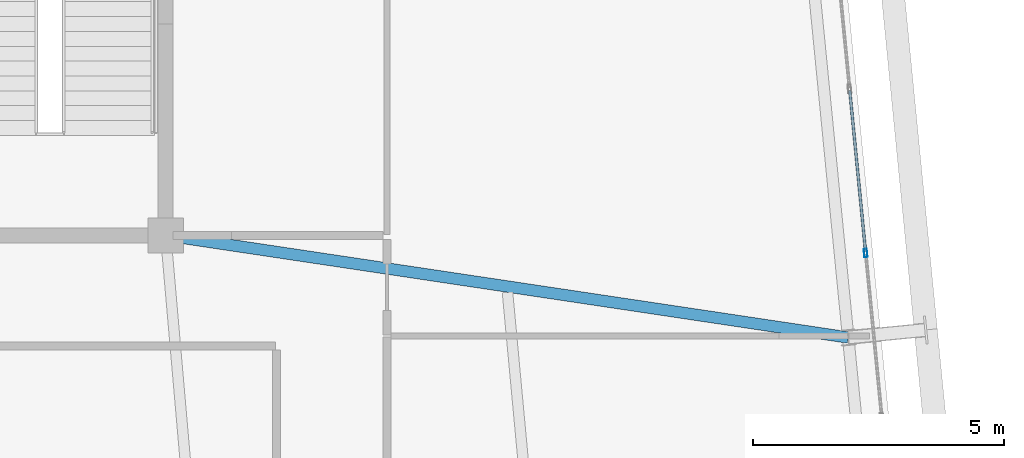
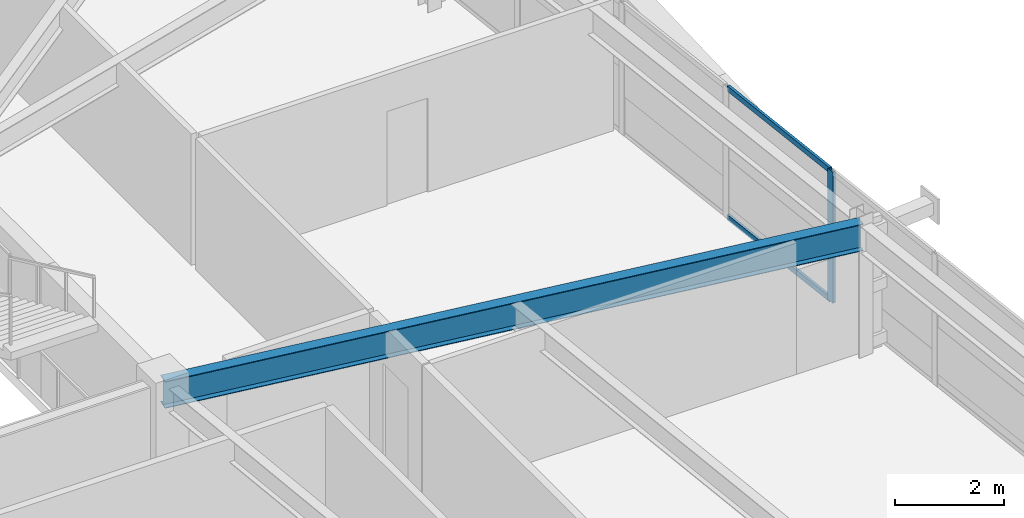
# One storey, part 25 of 53: 3 members, 1 beam, 1 element without a shape of its own.
"""IFC4 building model written with IfcOpenShell, lengths in metres."""

from ifc_helpers import new_model, si_unit, direction, frame, origin, origin_2d, place, context, subcontext, project, spatial, hollow_rectangle, i_section, extrude, source, transform, mapped, material, layer, layer_set, material_profile, profile_set, type_object, element, aggregate, save


model = new_model("IFC4")

# Units and contexts
model_context = context("Model", 3, precision=1e-05, world=origin(), true_north=direction((0.0, 1.0)))
body_context = subcontext(model_context, "Body", "Model", "MODEL_VIEW")
ifc_project = project(units=[si_unit("LENGTHUNIT", "METRE"), si_unit("AREAUNIT", "SQUARE_METRE"), si_unit("VOLUMEUNIT", "CUBIC_METRE"), si_unit("PLANEANGLEUNIT", "RADIAN"), si_unit("MASSUNIT", "GRAM", prefix="KILO")], contexts=[model_context])

# Site, building, storey
site_placement = place(None, origin())
site = spatial("IfcSite", under=ifc_project, at=site_placement, CompositionType="ELEMENT")
building_placement = place(site_placement, origin())
building = spatial("IfcBuilding", under=site, at=building_placement, Name="Taldren Reach Tower", CompositionType="ELEMENT")
storey_placement = place(building_placement, frame((0.0, 0.0, 84.0)))
storey = spatial("IfcBuildingStorey", under=building, at=storey_placement, Name="L25", CompositionType="ELEMENT", Elevation=84.0)

# Beam
ifc_material_1 = material(Name="Steel Gr 350 (350PLUS)", Category="steel")
ifc_material_profile_1 = material_profile(ifc_material_1, i_section(OverallWidth=0.22802734375, OverallDepth=0.60205078125, WebThickness=0.010498046875, FlangeThickness=0.014892578125, at=origin_2d()), Name="610UB101")
ifc_profile_set_1 = profile_set([ifc_material_profile_1], Name="Steel Gr 350 (350PLUS)")
beam_type = type_object("IfcBeamType", Name="BM-UB610B", PredefinedType="BEAM", material=ifc_profile_set_1)
shared_shape_1 = source(origin(), body_context, "Body", "SweptSolid", [
    extrude(i_section(OverallWidth=0.22802734375, OverallDepth=0.60205078125, WebThickness=0.010498046875, FlangeThickness=0.014892578125, at=origin_2d()), origin(), (0.0, 0.0, 1.0), 13.720703125),
])
beam_placement = place(storey_placement, frame((51.0, 24.0, 2.62890625), z_axis=(0.988983679407, -0.148024598856, 0.0), x_axis=(0.148024598856, 0.988983679407, 0.0)))
element("IfcBeam", 1, at=beam_placement, inside=storey, type_object=beam_type, Name="Primary floor girder B2-E2 L25", PredefinedType="BEAM", context=body_context, shape_type="MappedRepresentation", body=[
    mapped(shared_shape_1, transform((0.0, 0.0, 0.0), scale=1.0)),
])

# Curtain wall, members
ifc_material_2 = material(Name="Aluminium and Low-E Glass Unitised System", Category="aluminium")
ifc_layer = layer(ifc_material_2, 0.159912109375)
ifc_layer_set = layer_set([ifc_layer], Name="Aluminium and Low-E Glass Unitised System")
curtain_wall_type = type_object("IfcCurtainWallType", Name="CW-SYS-3", PredefinedType="NOTDEFINED", material=ifc_layer_set)
curtain_wall_placement = place(storey_placement, origin())
curtain_wall = element("IfcCurtainWall", 2, at=curtain_wall_placement, inside=storey, type_object=curtain_wall_type, Name="Unitised curtain wall CW-L25-E", PredefinedType="NOTDEFINED")
ifc_material_3 = material(Name="Anodised Aluminium 6063-T6", Category="aluminium")
ifc_material_profile_2 = material_profile(ifc_material_3, hollow_rectangle(XDim=0.06494140625, YDim=0.1650390625, WallThickness=0.00390625, at=origin_2d()), Name="ALU-165x65x4RHS")
ifc_profile_set_2 = profile_set([ifc_material_profile_2], Name="Anodised Aluminium 6063-T6")
member_type_1 = type_object("IfcMemberType", Name="CW-MUL-165", PredefinedType="MULLION", material=ifc_profile_set_2)
shared_shape_2 = source(origin(), body_context, "Body", "SweptSolid", [
    extrude(hollow_rectangle(XDim=0.06494140625, YDim=0.1650390625, WallThickness=0.00390625, at=origin_2d()), origin(), (0.0, 0.0, 1.0), 2.929931640625),
])
member_1_placement = place(storey_placement, frame((64.9169921875, 23.649658203125, 0.0), z_axis=(0.0, 0.0, 1.0), x_axis=(-0.99522741555, -0.09758274098, 0.0)))
member_1 = element("IfcMember", 3, at=member_1_placement, type_object=member_type_1, Name="CW-3 mullion 6", PredefinedType="MULLION", context=body_context, shape_type="MappedRepresentation", body=[
    mapped(shared_shape_2, transform((0.0, 0.0, 0.0), scale=1.0)),
])
ifc_material_profile_3 = material_profile(ifc_material_3, hollow_rectangle(XDim=0.054931640625, YDim=0.1201171875, WallThickness=0.0029296875, at=origin_2d()), Name="ALU-120x55x3RHS")
ifc_profile_set_3 = profile_set([ifc_material_profile_3], Name="Anodised Aluminium 6063-T6")
member_type_2 = type_object("IfcMemberType", Name="CW-TRN-135", PredefinedType="USERDEFINED", material=ifc_profile_set_3)
shared_shape_3 = source(origin(), body_context, "Body", "SweptSolid", [
    extrude(hollow_rectangle(XDim=0.054931640625, YDim=0.1201171875, WallThickness=0.0029296875, at=origin_2d()), origin(), (0.0, 0.0, 1.0), 3.212646484375),
])
member_2_placement = place(storey_placement, frame((64.913818359375, 23.68212890625, 0.027587890625), z_axis=(-0.097577327663, 0.995227946315, 0.0), x_axis=(-0.995227946315, -0.097577327663, 0.0)))
member_2 = element("IfcMember", 4, at=member_2_placement, type_object=member_type_2, Name="CW-3 transom 6.1", ObjectType="TRANSOM", PredefinedType="USERDEFINED", context=body_context, shape_type="MappedRepresentation", body=[
    mapped(shared_shape_3, transform((0.0, 0.0, 0.0), scale=1.0)),
])
member_3_placement = place(storey_placement, frame((64.913818359375, 23.68212890625, 2.902587890625), z_axis=(-0.097577327663, 0.995227946315, 0.0), x_axis=(-0.995227946315, -0.097577327663, 0.0)))
member_3 = element("IfcMember", 5, at=member_3_placement, type_object=member_type_2, Name="CW-3 transom 6.2", ObjectType="TRANSOM", PredefinedType="USERDEFINED", context=body_context, shape_type="MappedRepresentation", body=[
    mapped(shared_shape_3, transform((0.0, 0.0, 0.0), scale=1.0)),
])
aggregate(curtain_wall, [member_1, member_2, member_3])

save(model, "model.ifc")
